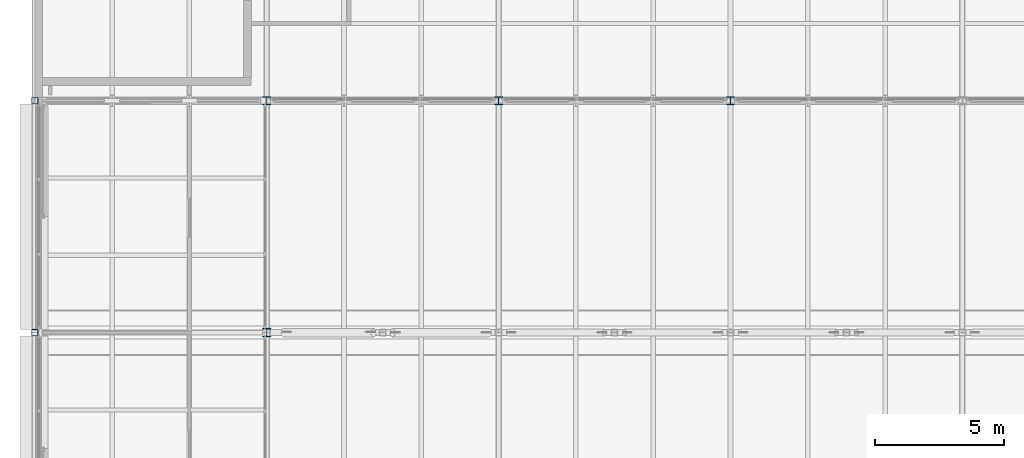
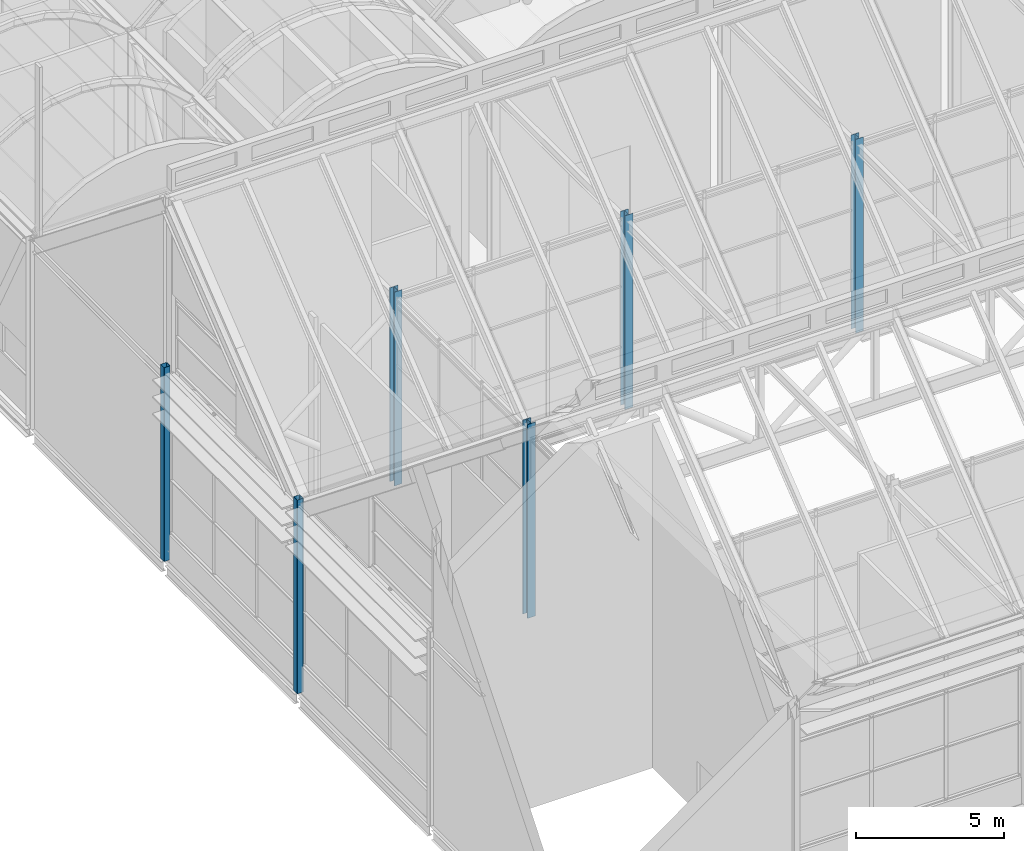
# One storey, part 2 of 144: 6 columns.
"""IFC4 building model written with IfcOpenShell, lengths in metres."""

from ifc_helpers import new_model, si_unit, direction, frame, origin, origin_2d, place, context, subcontext, project, spatial, hollow_rectangle, i_section, extrude, material, material_profile, profile_set, type_object, element, save


model = new_model("IFC4")

# Units and contexts
model_context = context("Model", 3, precision=1e-05, world=origin(), true_north=direction((0.0, 1.0)))
body_context = subcontext(model_context, "Body", "Model", "MODEL_VIEW")
ifc_project = project(units=[si_unit("LENGTHUNIT", "METRE"), si_unit("AREAUNIT", "SQUARE_METRE"), si_unit("VOLUMEUNIT", "CUBIC_METRE"), si_unit("PLANEANGLEUNIT", "RADIAN"), si_unit("MASSUNIT", "GRAM", prefix="KILO")], contexts=[model_context])

# Site, building, storey
site_placement = place(None, origin())
site = spatial("IfcSite", under=ifc_project, at=site_placement, CompositionType="ELEMENT")
building_placement = place(site_placement, origin())
building = spatial("IfcBuilding", under=site, at=building_placement, Name="Shorebreak Coast Museum", CompositionType="ELEMENT")
storey_placement = place(building_placement, frame((0.0, 0.0, 36.0)))
storey = spatial("IfcBuildingStorey", under=building, at=storey_placement, Name="L06", CompositionType="ELEMENT", Elevation=36.0)

# Columns
ifc_material_1 = material(Name="Steel Grade C450L0", Category="steel")
ifc_material_profile_1 = material_profile(ifc_material_1, hollow_rectangle(XDim=0.25, YDim=0.25, WallThickness=0.009033203125, InnerFilletRadius=0.013427734375, OuterFilletRadius=0.0224609375, at=origin_2d()), Name="250x250x9.0 SHS")
ifc_profile_set_1 = profile_set([ifc_material_profile_1], Name="Steel Grade C450L0")
column_type_1 = type_object("IfcColumnType", Name="Column 250x250x9.0 SHS", PredefinedType="COLUMN", material=ifc_profile_set_1)
for number, where, z_axis, x_axis, name in (
    (1, (54.0, 72.0, 0.0), (0.0, 0.0, 1.0), (1.0, 0.0, 0.0), "Column L06 7J"),
    (2, (54.0, 81.0, 0.0), (0.0, 0.0, 1.0), (1.0, 0.0, 0.0), "Column L06 7K"),
):
    element("IfcColumn", number, at=place(storey_placement, frame(where, z_axis=z_axis, x_axis=x_axis)), inside=storey, type_object=column_type_1, Name=name, PredefinedType="COLUMN", context=body_context, shape_type="SweptSolid", body=[
        extrude(hollow_rectangle(XDim=0.25, YDim=0.25, WallThickness=0.009033203125, InnerFilletRadius=0.013427734375, OuterFilletRadius=0.0224609375, at=origin_2d()), origin(), (0.0, 0.0, 1.0), 8.0),
    ])
ifc_material_2 = material(Name="Steel Grade 300", Category="steel")
ifc_material_profile_2 = material_profile(ifc_material_2, i_section(OverallWidth=0.306884765625, OverallDepth=0.314697265625, WebThickness=0.011962890625, FlangeThickness=0.018798828125, FilletRadius=0.0166015625, at=origin_2d()), Name="310UC118")
ifc_profile_set_2 = profile_set([ifc_material_profile_2], Name="Steel Grade 300")
column_type_2 = type_object("IfcColumnType", Name="Column 310UC118", PredefinedType="COLUMN", material=ifc_profile_set_2)
for number, where, z_axis, x_axis, name in (
    (3, (63.0, 81.0, 0.0), (0.0, 0.0, 1.0), (1.0, 0.0, 0.0), "Column L06 8K"),
    (4, (72.0, 81.0, 0.0), (0.0, 0.0, 1.0), (1.0, 0.0, 0.0), "Column L06 9K"),
    (5, (81.0, 81.0, 0.0), (0.0, 0.0, 1.0), (1.0, 0.0, 0.0), "Column L06 10K"),
):
    element("IfcColumn", number, at=place(storey_placement, frame(where, z_axis=z_axis, x_axis=x_axis)), inside=storey, type_object=column_type_2, Name=name, PredefinedType="COLUMN", context=body_context, shape_type="SweptSolid", body=[
        extrude(i_section(OverallWidth=0.306884765625, OverallDepth=0.314697265625, WebThickness=0.011962890625, FlangeThickness=0.018798828125, FilletRadius=0.0166015625, at=origin_2d()), origin(), (0.0, 0.0, 1.0), 8.0),
    ])
ifc_material_3 = material(Name="Steel Grade 300", Category="steel")
ifc_material_profile_3 = material_profile(ifc_material_3, i_section(OverallWidth=0.31103515625, OverallDepth=0.3271484375, WebThickness=0.015625, FlangeThickness=0.02490234375, FilletRadius=0.0166015625, at=origin_2d()), Name="310UC158")
ifc_profile_set_3 = profile_set([ifc_material_profile_3], Name="Steel Grade 300")
column_type_3 = type_object("IfcColumnType", Name="Column 310UC158", PredefinedType="COLUMN", material=ifc_profile_set_3)
column_placement = place(storey_placement, frame((63.0, 72.0, 0.0), z_axis=(0.0, 0.0, 1.0), x_axis=(1.0, 0.0, 0.0)))
element("IfcColumn", 6, at=column_placement, inside=storey, type_object=column_type_3, Name="Column L06 8J", PredefinedType="COLUMN", context=body_context, shape_type="SweptSolid", body=[
    extrude(i_section(OverallWidth=0.31103515625, OverallDepth=0.3271484375, WebThickness=0.015625, FlangeThickness=0.02490234375, FilletRadius=0.0166015625, at=origin_2d()), origin(), (0.0, 0.0, 1.0), 8.0),
])

save(model, "model.ifc")
